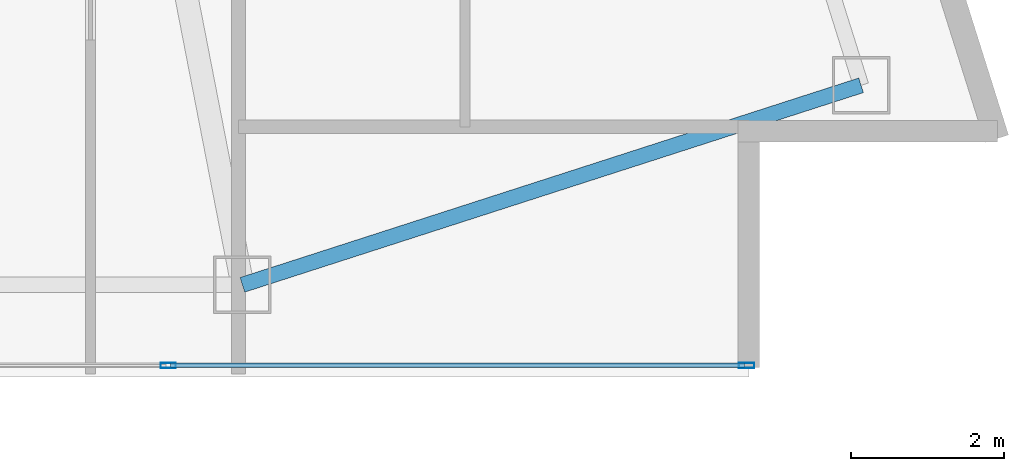
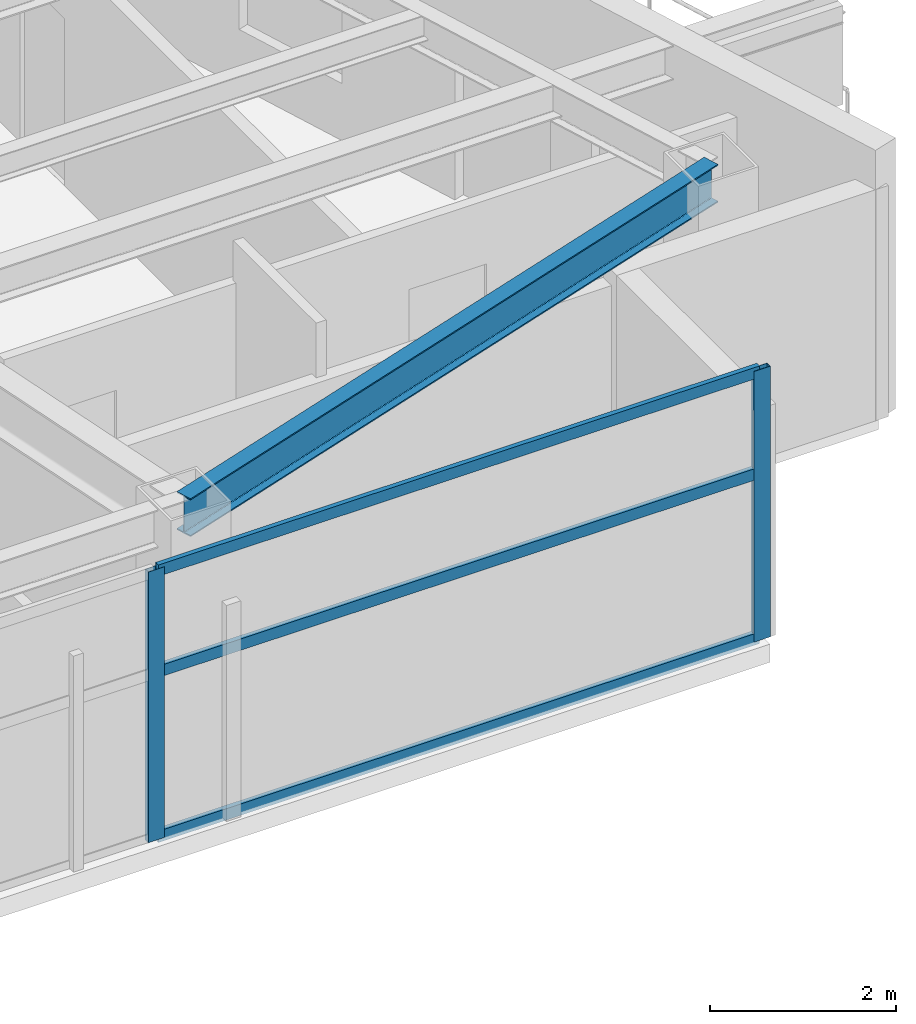
# One storey, part 14 of 29: 5 members, 1 beam, 1 element without a shape of its own.
"""IFC4 building model written with IfcOpenShell, lengths in metres."""

from ifc_helpers import new_model, si_unit, direction, frame, origin, origin_2d, place, context, subcontext, project, spatial, hollow_rectangle, i_section, extrude, material, layer, layer_set, material_profile, profile_set, type_object, element, aggregate, save


model = new_model("IFC4")

# Units and contexts
model_context = context("Model", 3, precision=1e-05, world=origin(), true_north=direction((0.0, 1.0)))
body_context = subcontext(model_context, "Body", "Model", "MODEL_VIEW")
ifc_project = project(units=[si_unit("LENGTHUNIT", "METRE"), si_unit("AREAUNIT", "SQUARE_METRE"), si_unit("VOLUMEUNIT", "CUBIC_METRE"), si_unit("PLANEANGLEUNIT", "RADIAN"), si_unit("MASSUNIT", "GRAM", prefix="KILO")], contexts=[model_context])

# Site, building, storey
site_placement = place(None, origin())
site = spatial("IfcSite", under=ifc_project, at=site_placement, CompositionType="ELEMENT")
building_placement = place(site_placement, origin())
building = spatial("IfcBuilding", under=site, at=building_placement, Name="Calvorn Quay Hotel", CompositionType="ELEMENT")
storey_placement = place(building_placement, frame((0.0, 0.0, 120.199951171875)))
storey = spatial("IfcBuildingStorey", under=building, at=storey_placement, Name="L29", CompositionType="ELEMENT", Elevation=120.199951171875)

# Beam
ifc_material_1 = material(Name="Steel Q355B", Category="steel")
ifc_material_profile_1 = material_profile(ifc_material_1, i_section(OverallWidth=0.199951171875, OverallDepth=0.5, WebThickness=0.010009765625, FlangeThickness=0.01611328125, FilletRadius=0.01611328125, at=origin_2d()), Name="HN500x200x10x16")
ifc_profile_set_1 = profile_set([ifc_material_profile_1], Name="Steel Q355B")
beam_type = type_object("IfcBeamType", Name="BM-SPANDREL-Z1", PredefinedType="SPANDREL", material=ifc_profile_set_1)
beam_placement = place(storey_placement, frame((49.39990234375, 3.60009765625, 3.2900390625), z_axis=(0.951725188386, 0.306951406237, 0.0), x_axis=(-0.306951406237, 0.951725188386, 0.0)))
element("IfcBeam", 1, at=beam_placement, inside=storey, type_object=beam_type, Name="Beam BSP-L29-S6", PredefinedType="SPANDREL", context=body_context, shape_type="SweptSolid", body=[
    extrude(i_section(OverallWidth=0.199951171875, OverallDepth=0.5, WebThickness=0.010009765625, FlangeThickness=0.01611328125, FilletRadius=0.01611328125, at=origin_2d()), origin(), (0.0, 0.0, 1.0), 8.469970703125),
])

# Curtain wall, members
ifc_material_2 = material(Name="Pale Anodised Aluminium and Low-E Glass", Category="aluminium")
ifc_layer = layer(ifc_material_2, 0.219970703125)
ifc_layer_set = layer_set([ifc_layer], Name="CW-SYS-Z2")
curtain_wall_type = type_object("IfcCurtainWallType", Name="CW-SYS-Z2", PredefinedType="NOTDEFINED", material=ifc_layer_set)
curtain_wall_placement = place(storey_placement, origin())
curtain_wall = element("IfcCurtainWall", 2, at=curtain_wall_placement, inside=storey, type_object=curtain_wall_type, Name="Tower South Waterfront Curtain Wall (L29)", PredefinedType="NOTDEFINED")
ifc_material_3 = material(Name="Pale Anodised Aluminium 6063-T6", Category="aluminium")
ifc_material_profile_2 = material_profile(ifc_material_3, hollow_rectangle(XDim=0.070068359375, YDim=0.199951171875, WallThickness=0.00390625, at=origin_2d()), Name="ALU-M200x70x4")
ifc_profile_set_2 = profile_set([ifc_material_profile_2], Name="Pale Anodised Aluminium 6063-T6")
member_type_1 = type_object("IfcMemberType", Name="CW-SYS-Z2-MUL", PredefinedType="MULLION", material=ifc_profile_set_2)
member_1_placement = place(storey_placement, frame((48.433349609375, 2.550048828125, 0.0), z_axis=(0.0, 0.0, 1.0), x_axis=(0.0, 1.0, 0.0)))
member_1 = element("IfcMember", 3, at=member_1_placement, type_object=member_type_1, Name="CW-L29-S mullion 6", PredefinedType="MULLION", context=body_context, shape_type="SweptSolid", body=[
    extrude(hollow_rectangle(XDim=0.070068359375, YDim=0.199951171875, WallThickness=0.00390625, at=origin_2d()), origin(), (0.0, 0.0, 1.0), 3.56005859375),
])
member_2_placement = place(storey_placement, frame((55.969970703125, 2.550048828125, 0.0), z_axis=(0.0, 0.0, 1.0), x_axis=(0.0, 1.0, 0.0)))
member_2 = element("IfcMember", 4, at=member_2_placement, type_object=member_type_1, Name="CW-L29-S mullion 7", PredefinedType="MULLION", context=body_context, shape_type="SweptSolid", body=[
    extrude(hollow_rectangle(XDim=0.070068359375, YDim=0.199951171875, WallThickness=0.00390625, at=origin_2d()), origin(), (0.0, 0.0, 1.0), 3.56005859375),
])
ifc_material_4 = material(Name="Pale Anodised Aluminium 6063-T6", Category="aluminium")
ifc_material_profile_3 = material_profile(ifc_material_4, hollow_rectangle(XDim=0.06005859375, YDim=0.14990234375, WallThickness=0.00341796875, at=origin_2d()), Name="ALU-T150x60x3.5")
ifc_profile_set_3 = profile_set([ifc_material_profile_3], Name="Pale Anodised Aluminium 6063-T6")
member_type_2 = type_object("IfcMemberType", Name="CW-SYS-Z2-TRN", PredefinedType="USERDEFINED", material=ifc_profile_set_3)
member_3_placement = place(storey_placement, frame((48.46337890625, 2.550048828125, 0.030029296875), z_axis=(1.0, 0.0, 0.0), x_axis=(0.0, 1.0, 0.0)))
member_3 = element("IfcMember", 5, at=member_3_placement, type_object=member_type_2, Name="CW-L29-S transom 6.1", ObjectType="TRANSOM", PredefinedType="USERDEFINED", context=body_context, shape_type="SweptSolid", body=[
    extrude(hollow_rectangle(XDim=0.06005859375, YDim=0.14990234375, WallThickness=0.00341796875, at=origin_2d()), origin(), (0.0, 0.0, 1.0), 7.4765625),
])
member_4_placement = place(storey_placement, frame((48.46337890625, 2.550048828125, 2.199951171875), z_axis=(1.0, 0.0, 0.0), x_axis=(0.0, 1.0, 0.0)))
member_4 = element("IfcMember", 6, at=member_4_placement, type_object=member_type_2, Name="CW-L29-S transom 6.2", ObjectType="TRANSOM", PredefinedType="USERDEFINED", context=body_context, shape_type="SweptSolid", body=[
    extrude(hollow_rectangle(XDim=0.06005859375, YDim=0.14990234375, WallThickness=0.00341796875, at=origin_2d()), origin(), (0.0, 0.0, 1.0), 7.4765625),
])
member_5_placement = place(storey_placement, frame((48.46337890625, 2.550048828125, 3.530029296875), z_axis=(1.0, 0.0, 0.0), x_axis=(0.0, 1.0, 0.0)))
member_5 = element("IfcMember", 7, at=member_5_placement, type_object=member_type_2, Name="CW-L29-S transom 6.3", ObjectType="TRANSOM", PredefinedType="USERDEFINED", context=body_context, shape_type="SweptSolid", body=[
    extrude(hollow_rectangle(XDim=0.06005859375, YDim=0.14990234375, WallThickness=0.00341796875, at=origin_2d()), origin(), (0.0, 0.0, 1.0), 7.4765625),
])
aggregate(curtain_wall, [member_1, member_2, member_3, member_4, member_5])

save(model, "model.ifc")
